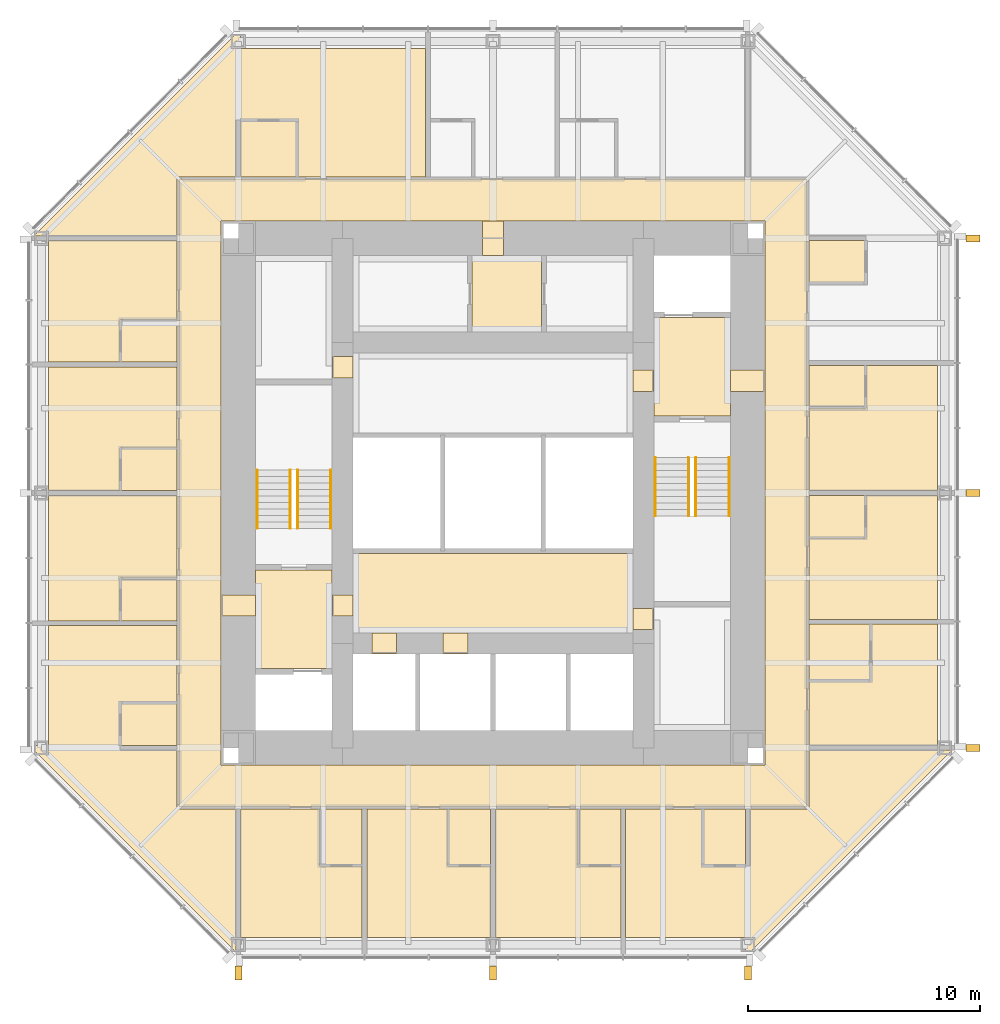
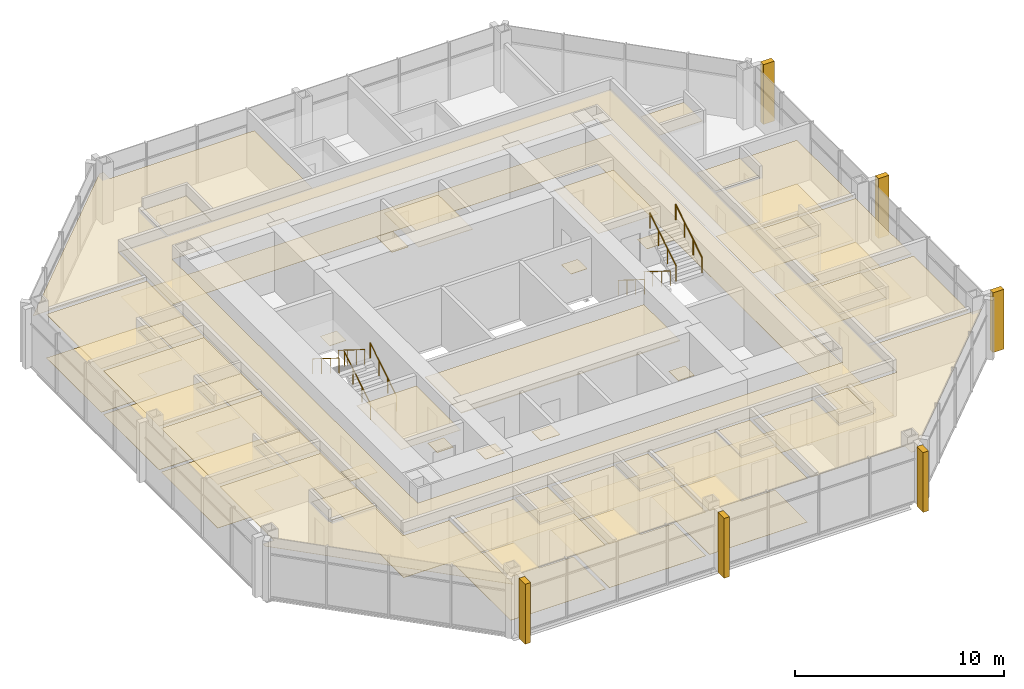
# One storey, part 11 of 12: 54 coverings, 8 railings.
"""IFC4 building model written with IfcOpenShell, lengths in metres."""

from ifc_helpers import new_model, si_unit, direction, frame, origin, origin_2d, place, context, subcontext, project, spatial, polyline, rectangle, circle, outline, extrude, material, layer, layer_set, type_object, element, save


model = new_model("IFC4")

# Units and contexts
model_context = context("Model", 3, precision=1e-05, world=origin(), true_north=direction((0.0, 1.0)))
body_context = subcontext(model_context, "Body", "Model", "MODEL_VIEW")
ifc_project = project(units=[si_unit("LENGTHUNIT", "METRE"), si_unit("AREAUNIT", "SQUARE_METRE"), si_unit("VOLUMEUNIT", "CUBIC_METRE"), si_unit("PLANEANGLEUNIT", "RADIAN"), si_unit("MASSUNIT", "GRAM", prefix="KILO")], contexts=[model_context])

# Site, building, storey
site_placement = place(None, origin())
site = spatial("IfcSite", under=ifc_project, at=site_placement, CompositionType="ELEMENT")
building_placement = place(site_placement, origin())
building = spatial("IfcBuilding", under=site, at=building_placement, Name="Trevanion Tower", CompositionType="ELEMENT")
storey_placement = place(building_placement, frame((0.0, 0.0, 201.199951171875)))
storey = spatial("IfcBuildingStorey", under=building, at=storey_placement, Name="L47", CompositionType="ELEMENT", Elevation=201.199951171875)

# Coverings
ifc_material_1 = material(Name="Fibrous plaster coffers on suspended steel grid", Category="steel")
ifc_layer_1 = layer(ifc_material_1, 0.050048828125)
ifc_layer_set_1 = layer_set([ifc_layer_1], Name="CL1 coffered fibrous plaster ceiling 50")
covering_type_1 = type_object("IfcCoveringType", Name="CL1 coffered fibrous plaster ceiling 50", PredefinedType="CEILING", material=ifc_layer_set_1)
covering_1_placement = place(storey_placement, frame((0.0, 0.0, 2.429931640625)))
element("IfcCovering", 1, at=covering_1_placement, inside=storey, type_object=covering_type_1, Name="CL1 L47-LBS", PredefinedType="CEILING", context=body_context, shape_type="SweptSolid", body=[
    extrude(outline(polyline([(6.050048828125, -6.050048828125), (6.050048828125, -2.60009765625), (-6.050048828125, -2.60009765625), (-6.050048828125, -6.050048828125), (6.050048828125, -6.050048828125)])), origin(), (0.0, 0.0, 1.0), 0.050048828125),
])
ifc_material_2 = material(Name="Mineral fibre acoustic tiles in exposed grid", Category="mineral fibre")
ifc_layer_2 = layer(ifc_material_2, 0.02001953125)
ifc_layer_set_2 = layer_set([ifc_layer_2], Name="CL2 acoustic tile ceiling 20")
covering_type_2 = type_object("IfcCoveringType", Name="CL2 acoustic tile ceiling 20", PredefinedType="CEILING", material=ifc_layer_set_2)
covering_2_placement = place(storey_placement, frame((0.0, 0.0, 2.4599609375)))
element("IfcCovering", 2, at=covering_2_placement, inside=storey, type_object=covering_type_2, Name="CL2 L47-HKC", PredefinedType="CEILING", context=body_context, shape_type="SweptSolid", body=[
    extrude(outline(polyline([(2.10009765625, 6.949951171875), (2.10009765625, 10.25), (-0.89990234375, 10.25), (-0.89990234375, 6.949951171875), (2.10009765625, 6.949951171875)])), origin(), (0.0, 0.0, 1.0), 0.02001953125),
])
covering_3_placement = place(storey_placement, frame((0.0, 0.0, 2.633056640625)))
element("IfcCovering", 3, at=covering_3_placement, inside=storey, type_object=covering_type_2, Name="CL2 L47-CO", PredefinedType="CEILING", context=body_context, shape_type="SweptSolid", body=[
    extrude(outline(polyline([(-13.550048828125, -13.550048828125), (-13.550048828125, 13.550048828125), (13.550048828125, 13.550048828125), (13.550048828125, -13.550048828125), (-13.550048828125, -13.550048828125)]), holes=[polyline([(11.75, 11.75), (-11.75, 11.75), (-11.75, -11.75), (11.75, -11.75), (11.75, 11.75)])]), origin(), (0.0, 0.0, 1.0), 0.02001953125),
])
ifc_material_3 = material(Name="Gypsum plasterboard on suspended metal furring", Category="gypsum")
ifc_layer_3 = layer(ifc_material_3, 0.012939453125)
ifc_layer_set_3 = layer_set([ifc_layer_3], Name="CL3 plasterboard ceiling 13")
covering_type_3 = type_object("IfcCoveringType", Name="CL3 plasterboard ceiling 13", PredefinedType="CEILING", material=ifc_layer_set_3)
covering_4_placement = place(storey_placement, frame((0.0, 0.0, 2.699951171875)))
element("IfcCovering", 4, at=covering_4_placement, inside=storey, type_object=covering_type_3, Name="CL3 L47-FV1", PredefinedType="CEILING", context=body_context, shape_type="SweptSolid", body=[
    extrude(outline(polyline([(10.25, 3.324951171875), (10.25, 7.574951171875), (6.949951171875, 7.574951171875), (6.949951171875, 3.324951171875), (10.25, 3.324951171875)])), origin(), (0.0, 0.0, 1.0), 0.01318359375),
])
covering_5_placement = place(storey_placement, frame((0.0, 0.0, 2.699951171875)))
element("IfcCovering", 5, at=covering_5_placement, inside=storey, type_object=covering_type_3, Name="CL3 L47-FV2", PredefinedType="CEILING", context=body_context, shape_type="SweptSolid", body=[
    extrude(outline(polyline([(-10.25, -3.324951171875), (-10.25, -7.574951171875), (-6.949951171875, -7.574951171875), (-6.949951171875, -3.324951171875), (-10.25, -3.324951171875)])), origin(), (0.0, 0.0, 1.0), 0.01318359375),
])
covering_6_placement = place(storey_placement, frame((0.0, 0.0, 2.551025390625)))
element("IfcCovering", 6, at=covering_6_placement, inside=storey, type_object=covering_type_3, Name="CL3 L47-GA", PredefinedType="CEILING", context=body_context, shape_type="SweptSolid", body=[
    extrude(outline(polyline([(13.64990234375, -8.09912109375), (16.300048828125, -8.09912109375), (16.300048828125, -5.64892578125), (19.199951171875, -5.64892578125), (19.199951171875, -10.89990234375), (13.64990234375, -10.89990234375), (13.64990234375, -8.09912109375)])), origin(), (0.0, 0.0, 1.0), 0.012939453125),
])
covering_7_placement = place(storey_placement, frame((0.0, 0.0, 2.551025390625)))
element("IfcCovering", 7, at=covering_7_placement, inside=storey, type_object=covering_type_3, Name="CL3 L47-GR", PredefinedType="CEILING", context=body_context, shape_type="SweptSolid", body=[
    extrude(outline(polyline([(13.64990234375, -1.949951171875), (16.10009765625, -1.949951171875), (16.10009765625, -0.10009765625), (19.199951171875, -0.10009765625), (19.199951171875, -5.448974609375), (13.64990234375, -5.448974609375), (13.64990234375, -1.949951171875)])), origin(), (0.0, 0.0, 1.0), 0.012939453125),
])
covering_8_placement = place(storey_placement, frame((0.0, 0.0, 2.551025390625)))
element("IfcCovering", 8, at=covering_8_placement, inside=storey, type_object=covering_type_3, Name="CL3 L47-GR2", PredefinedType="CEILING", context=body_context, shape_type="SweptSolid", body=[
    extrude(outline(polyline([(13.64990234375, 3.6640625), (16.10009765625, 3.6640625), (16.10009765625, 5.513916015625), (19.199951171875, 5.513916015625), (19.199951171875, 0.10009765625), (13.64990234375, 0.10009765625), (13.64990234375, 3.6640625)])), origin(), (0.0, 0.0, 1.0), 0.012939453125),
])
covering_9_placement = place(storey_placement, frame((0.0, 0.0, 2.551025390625)))
element("IfcCovering", 9, at=covering_9_placement, inside=storey, type_object=covering_type_3, Name="CL3 L47-GJ2", PredefinedType="CEILING", context=body_context, shape_type="SweptSolid", body=[
    extrude(outline(polyline([(-13.64990234375, 11.10009765625), (-19.800048828125, 11.10009765625), (-19.800048828125, 11.124267578125), (-11.124267578125, 19.800048828125), (-10.89990234375, 19.800048828125), (-10.89990234375, 19.199951171875), (-2.906982421875, 19.199951171875), (-2.906982421875, 13.64990234375), (-8.449951171875, 13.64990234375), (-8.449951171875, 16.10009765625), (-10.949951171875, 16.10009765625), (-10.949951171875, 13.64990234375), (-13.64990234375, 13.64990234375), (-13.64990234375, 11.10009765625)])), origin(), (0.0, 0.0, 1.0), 0.012939453125),
])
covering_10_placement = place(storey_placement, frame((0.0, 0.0, 2.551025390625)))
element("IfcCovering", 10, at=covering_10_placement, inside=storey, type_object=covering_type_3, Name="CL3 L47-GR5", PredefinedType="CEILING", context=body_context, shape_type="SweptSolid", body=[
    extrude(outline(polyline([(-13.64990234375, 7.4990234375), (-16.10009765625, 7.4990234375), (-16.10009765625, 5.64892578125), (-19.199951171875, 5.64892578125), (-19.199951171875, 10.89990234375), (-13.64990234375, 10.89990234375), (-13.64990234375, 7.4990234375)])), origin(), (0.0, 0.0, 1.0), 0.012939453125),
])
covering_11_placement = place(storey_placement, frame((0.0, 0.0, 2.551025390625)))
element("IfcCovering", 11, at=covering_11_placement, inside=storey, type_object=covering_type_3, Name="CL3 L47-GR6", PredefinedType="CEILING", context=body_context, shape_type="SweptSolid", body=[
    extrude(outline(polyline([(-13.64990234375, 1.949951171875), (-16.10009765625, 1.949951171875), (-16.10009765625, 0.10009765625), (-19.199951171875, 0.10009765625), (-19.199951171875, 5.448974609375), (-13.64990234375, 5.448974609375), (-13.64990234375, 1.949951171875)])), origin(), (0.0, 0.0, 1.0), 0.012939453125),
])
covering_12_placement = place(storey_placement, frame((0.0, 0.0, 2.551025390625)))
element("IfcCovering", 12, at=covering_12_placement, inside=storey, type_object=covering_type_3, Name="CL3 L47-GR7", PredefinedType="CEILING", context=body_context, shape_type="SweptSolid", body=[
    extrude(outline(polyline([(-13.64990234375, -3.6640625), (-16.10009765625, -3.6640625), (-16.10009765625, -5.513916015625), (-19.199951171875, -5.513916015625), (-19.199951171875, -0.10009765625), (-13.64990234375, -0.10009765625), (-13.64990234375, -3.6640625)])), origin(), (0.0, 0.0, 1.0), 0.012939453125),
])
covering_13_placement = place(storey_placement, frame((0.0, 0.0, 2.551025390625)))
element("IfcCovering", 13, at=covering_13_placement, inside=storey, type_object=covering_type_3, Name="CL3 L47-GR8", PredefinedType="CEILING", context=body_context, shape_type="SweptSolid", body=[
    extrude(outline(polyline([(-11.10009765625, -13.64990234375), (-11.10009765625, -19.800048828125), (-11.124267578125, -19.800048828125), (-19.800048828125, -11.124267578125), (-19.800048828125, -10.89990234375), (-19.199951171875, -10.89990234375), (-19.199951171875, -5.714111328125), (-13.64990234375, -5.714111328125), (-13.64990234375, -9.050048828125), (-16.10009765625, -9.050048828125), (-16.10009765625, -10.949951171875), (-13.64990234375, -10.949951171875), (-13.64990234375, -13.64990234375), (-11.10009765625, -13.64990234375)])), origin(), (0.0, 0.0, 1.0), 0.012939453125),
])
covering_14_placement = place(storey_placement, frame((0.0, 0.0, 2.551025390625)))
element("IfcCovering", 14, at=covering_14_placement, inside=storey, type_object=covering_type_3, Name="CL3 L47-GR9", PredefinedType="CEILING", context=body_context, shape_type="SweptSolid", body=[
    extrude(outline(polyline([(-7.4990234375, -13.64990234375), (-7.4990234375, -16.10009765625), (-5.64892578125, -16.10009765625), (-5.64892578125, -19.199951171875), (-10.89990234375, -19.199951171875), (-10.89990234375, -13.64990234375), (-7.4990234375, -13.64990234375)])), origin(), (0.0, 0.0, 1.0), 0.012939453125),
])
covering_15_placement = place(storey_placement, frame((0.0, 0.0, 2.551025390625)))
element("IfcCovering", 15, at=covering_15_placement, inside=storey, type_object=covering_type_3, Name="CL3 L47-GR10", PredefinedType="CEILING", context=body_context, shape_type="SweptSolid", body=[
    extrude(outline(polyline([(-1.949951171875, -13.64990234375), (-1.949951171875, -16.10009765625), (-0.10009765625, -16.10009765625), (-0.10009765625, -19.199951171875), (-5.448974609375, -19.199951171875), (-5.448974609375, -13.64990234375), (-1.949951171875, -13.64990234375)])), origin(), (0.0, 0.0, 1.0), 0.012939453125),
])
covering_16_placement = place(storey_placement, frame((0.0, 0.0, 2.551025390625)))
element("IfcCovering", 16, at=covering_16_placement, inside=storey, type_object=covering_type_3, Name="CL3 L47-GR11", PredefinedType="CEILING", context=body_context, shape_type="SweptSolid", body=[
    extrude(outline(polyline([(3.6640625, -13.64990234375), (3.6640625, -16.10009765625), (5.513916015625, -16.10009765625), (5.513916015625, -19.199951171875), (0.10009765625, -19.199951171875), (0.10009765625, -13.64990234375), (3.6640625, -13.64990234375)])), origin(), (0.0, 0.0, 1.0), 0.012939453125),
])
covering_17_placement = place(storey_placement, frame((0.0, 0.0, 2.551025390625)))
element("IfcCovering", 17, at=covering_17_placement, inside=storey, type_object=covering_type_3, Name="CL3 L47-GR12", PredefinedType="CEILING", context=body_context, shape_type="SweptSolid", body=[
    extrude(outline(polyline([(13.64990234375, -11.10009765625), (19.800048828125, -11.10009765625), (19.800048828125, -11.124267578125), (11.124267578125, -19.800048828125), (10.89990234375, -19.800048828125), (10.89990234375, -19.199951171875), (5.714111328125, -19.199951171875), (5.714111328125, -13.64990234375), (9.050048828125, -13.64990234375), (9.050048828125, -16.10009765625), (10.949951171875, -16.10009765625), (10.949951171875, -13.64990234375), (13.64990234375, -13.64990234375), (13.64990234375, -11.10009765625)])), origin(), (0.0, 0.0, 1.0), 0.012939453125),
])
ifc_material_4 = material(Name="Moisture-resistant gypsum board on suspended metal furring", Category="gypsum")
ifc_layer_4 = layer(ifc_material_4, 0.01611328125)
ifc_layer_set_4 = layer_set([ifc_layer_4], Name="CL4 moisture-resistant board ceiling 16")
covering_type_4 = type_object("IfcCoveringType", Name="CL4 moisture-resistant board ceiling 16", PredefinedType="CEILING", material=ifc_layer_set_4)
covering_18_placement = place(storey_placement, frame((0.0, 0.0, 2.60009765625)))
element("IfcCovering", 18, at=covering_18_placement, inside=storey, type_object=covering_type_4, Name="CL4 L47-EN", PredefinedType="CEILING", context=body_context, shape_type="SweptSolid", body=[
    extrude(outline(polyline([(16.25, -8.049072265625), (16.25, -5.64892578125), (13.64990234375, -5.64892578125), (13.64990234375, -8.049072265625), (16.25, -8.049072265625)])), origin(), (0.0, 0.0, 1.0), 0.015869140625),
])
covering_19_placement = place(storey_placement, frame((0.0, 0.0, 2.60009765625)))
element("IfcCovering", 19, at=covering_19_placement, inside=storey, type_object=covering_type_4, Name="CL4 L47-EN2", PredefinedType="CEILING", context=body_context, shape_type="SweptSolid", body=[
    extrude(outline(polyline([(16.050048828125, -1.89990234375), (16.050048828125, -0.10009765625), (13.64990234375, -0.10009765625), (13.64990234375, -1.89990234375), (16.050048828125, -1.89990234375)])), origin(), (0.0, 0.0, 1.0), 0.015869140625),
])
covering_20_placement = place(storey_placement, frame((0.0, 0.0, 2.60009765625)))
element("IfcCovering", 20, at=covering_20_placement, inside=storey, type_object=covering_type_4, Name="CL4 L47-EN3", PredefinedType="CEILING", context=body_context, shape_type="SweptSolid", body=[
    extrude(outline(polyline([(16.050048828125, 3.714111328125), (16.050048828125, 5.513916015625), (13.64990234375, 5.513916015625), (13.64990234375, 3.714111328125), (16.050048828125, 3.714111328125)])), origin(), (0.0, 0.0, 1.0), 0.015869140625),
])
covering_21_placement = place(storey_placement, frame((0.0, 0.0, 2.60009765625)))
element("IfcCovering", 21, at=covering_21_placement, inside=storey, type_object=covering_type_4, Name="CL4 L47-EN4", PredefinedType="CEILING", context=body_context, shape_type="SweptSolid", body=[
    extrude(outline(polyline([(16.050048828125, 9.10009765625), (16.050048828125, 10.89990234375), (13.64990234375, 10.89990234375), (13.64990234375, 9.10009765625), (16.050048828125, 9.10009765625)])), origin(), (0.0, 0.0, 1.0), 0.015869140625),
])
covering_22_placement = place(storey_placement, frame((0.0, 0.0, 2.60009765625)))
element("IfcCovering", 22, at=covering_22_placement, inside=storey, type_object=covering_type_4, Name="CL4 L47-EN7", PredefinedType="CEILING", context=body_context, shape_type="SweptSolid", body=[
    extrude(outline(polyline([(-8.5, 16.050048828125), (-10.89990234375, 16.050048828125), (-10.89990234375, 13.64990234375), (-8.5, 13.64990234375), (-8.5, 16.050048828125)])), origin(), (0.0, 0.0, 1.0), 0.015869140625),
])
covering_23_placement = place(storey_placement, frame((0.0, 0.0, 2.60009765625)))
element("IfcCovering", 23, at=covering_23_placement, inside=storey, type_object=covering_type_4, Name="CL4 L47-EN8", PredefinedType="CEILING", context=body_context, shape_type="SweptSolid", body=[
    extrude(outline(polyline([(-16.050048828125, 7.448974609375), (-16.050048828125, 5.64892578125), (-13.64990234375, 5.64892578125), (-13.64990234375, 7.448974609375), (-16.050048828125, 7.448974609375)])), origin(), (0.0, 0.0, 1.0), 0.015869140625),
])
covering_24_placement = place(storey_placement, frame((0.0, 0.0, 2.60009765625)))
element("IfcCovering", 24, at=covering_24_placement, inside=storey, type_object=covering_type_4, Name="CL4 L47-EN9", PredefinedType="CEILING", context=body_context, shape_type="SweptSolid", body=[
    extrude(outline(polyline([(-16.050048828125, 1.89990234375), (-16.050048828125, 0.10009765625), (-13.64990234375, 0.10009765625), (-13.64990234375, 1.89990234375), (-16.050048828125, 1.89990234375)])), origin(), (0.0, 0.0, 1.0), 0.015869140625),
])
covering_25_placement = place(storey_placement, frame((0.0, 0.0, 2.60009765625)))
element("IfcCovering", 25, at=covering_25_placement, inside=storey, type_object=covering_type_4, Name="CL4 L47-EN10", PredefinedType="CEILING", context=body_context, shape_type="SweptSolid", body=[
    extrude(outline(polyline([(-16.050048828125, -3.714111328125), (-16.050048828125, -5.513916015625), (-13.64990234375, -5.513916015625), (-13.64990234375, -3.714111328125), (-16.050048828125, -3.714111328125)])), origin(), (0.0, 0.0, 1.0), 0.015869140625),
])
covering_26_placement = place(storey_placement, frame((0.0, 0.0, 2.60009765625)))
element("IfcCovering", 26, at=covering_26_placement, inside=storey, type_object=covering_type_4, Name="CL4 L47-EN11", PredefinedType="CEILING", context=body_context, shape_type="SweptSolid", body=[
    extrude(outline(polyline([(-16.050048828125, -9.10009765625), (-16.050048828125, -10.89990234375), (-13.64990234375, -10.89990234375), (-13.64990234375, -9.10009765625), (-16.050048828125, -9.10009765625)])), origin(), (0.0, 0.0, 1.0), 0.015869140625),
])
covering_27_placement = place(storey_placement, frame((0.0, 0.0, 2.60009765625)))
element("IfcCovering", 27, at=covering_27_placement, inside=storey, type_object=covering_type_4, Name="CL4 L47-EN12", PredefinedType="CEILING", context=body_context, shape_type="SweptSolid", body=[
    extrude(outline(polyline([(-7.448974609375, -16.050048828125), (-5.64892578125, -16.050048828125), (-5.64892578125, -13.64990234375), (-7.448974609375, -13.64990234375), (-7.448974609375, -16.050048828125)])), origin(), (0.0, 0.0, 1.0), 0.015869140625),
])
covering_28_placement = place(storey_placement, frame((0.0, 0.0, 2.60009765625)))
element("IfcCovering", 28, at=covering_28_placement, inside=storey, type_object=covering_type_4, Name="CL4 L47-EN13", PredefinedType="CEILING", context=body_context, shape_type="SweptSolid", body=[
    extrude(outline(polyline([(-1.89990234375, -16.050048828125), (-0.10009765625, -16.050048828125), (-0.10009765625, -13.64990234375), (-1.89990234375, -13.64990234375), (-1.89990234375, -16.050048828125)])), origin(), (0.0, 0.0, 1.0), 0.015869140625),
])
covering_29_placement = place(storey_placement, frame((0.0, 0.0, 2.60009765625)))
element("IfcCovering", 29, at=covering_29_placement, inside=storey, type_object=covering_type_4, Name="CL4 L47-EN14", PredefinedType="CEILING", context=body_context, shape_type="SweptSolid", body=[
    extrude(outline(polyline([(3.714111328125, -16.050048828125), (5.513916015625, -16.050048828125), (5.513916015625, -13.64990234375), (3.714111328125, -13.64990234375), (3.714111328125, -16.050048828125)])), origin(), (0.0, 0.0, 1.0), 0.015869140625),
])
covering_30_placement = place(storey_placement, frame((0.0, 0.0, 2.60009765625)))
element("IfcCovering", 30, at=covering_30_placement, inside=storey, type_object=covering_type_4, Name="CL4 L47-EN15", PredefinedType="CEILING", context=body_context, shape_type="SweptSolid", body=[
    extrude(outline(polyline([(9.10009765625, -16.050048828125), (10.89990234375, -16.050048828125), (10.89990234375, -13.64990234375), (9.10009765625, -13.64990234375), (9.10009765625, -16.050048828125)])), origin(), (0.0, 0.0, 1.0), 0.015869140625),
])
ifc_material_5 = material(Name="Cast bronze fin on aluminium carrier", Category="aluminium")
covering_type_5 = type_object("IfcCoveringType", Name="F1 bronze fin", PredefinedType="CLADDING", material=ifc_material_5)
for number, where, z_axis, x_axis, name in (
    (31, (20.72509765625, -11.0, -0.18994140625), (0.0, 0.0, 1.0), (0.0, 1.0, 0.0), "F1 L47 east -11.0"),
    (32, (20.72509765625, 0.0, -0.18994140625), (0.0, 0.0, 1.0), (0.0, 1.0, 0.0), "F1 L47 east +0.0"),
    (33, (20.72509765625, 11.0, -0.18994140625), (0.0, 0.0, 1.0), (0.0, 1.0, 0.0), "F1 L47 east +11.0"),
    (34, (-11.0, -20.72509765625, -0.18994140625), (0.0, 0.0, 1.0), (1.0, 0.0, 0.0), "F1 L47 south -11.0"),
    (35, (0.0, -20.72509765625, -0.18994140625), (0.0, 0.0, 1.0), (1.0, 0.0, 0.0), "F1 L47 south +0.0"),
    (36, (11.0, -20.72509765625, -0.18994140625), (0.0, 0.0, 1.0), (1.0, 0.0, 0.0), "F1 L47 south +11.0"),
):
    element("IfcCovering", number, at=place(storey_placement, frame(where, z_axis=z_axis, x_axis=x_axis)), inside=storey, type_object=covering_type_5, Name=name, PredefinedType="CLADDING", context=body_context, shape_type="SweptSolid", body=[
        extrude(rectangle(XDim=0.300048828125, YDim=0.60009765625, at=origin_2d()), origin(), (0.0, 0.0, 1.0), 3.5),
    ])
ifc_material_6 = material(Name="Terrazzo, brass divider strips", Category="stone")
ifc_layer_5 = layer(ifc_material_6, 0.02001953125)
ifc_layer_set_5 = layer_set([ifc_layer_5], Name="FF1 terrazzo flooring")
covering_type_6 = type_object("IfcCoveringType", Name="FF1 terrazzo flooring", PredefinedType="FLOORING", material=ifc_layer_set_5)
covering_31_placement = place(storey_placement, origin())
element("IfcCovering", 37, at=covering_31_placement, inside=storey, type_object=covering_type_6, Name="FF1 threshold 47-001", PredefinedType="FLOORING", context=body_context, shape_type="SweptSolid", body=[
    extrude(outline(polyline([(11.75, 4.392578125), (11.75, 5.3076171875), (10.25, 5.3076171875), (10.25, 4.392578125), (11.75, 4.392578125)])), origin(), (0.0, 0.0, 1.0), 0.02001953125),
])
covering_32_placement = place(storey_placement, origin())
element("IfcCovering", 38, at=covering_32_placement, inside=storey, type_object=covering_type_6, Name="FF1 threshold 47-002", PredefinedType="FLOORING", context=body_context, shape_type="SweptSolid", body=[
    extrude(outline(polyline([(-11.75, -4.392578125), (-11.75, -5.3076171875), (-10.25, -5.3076171875), (-10.25, -4.392578125), (-11.75, -4.392578125)])), origin(), (0.0, 0.0, 1.0), 0.02001953125),
])
covering_33_placement = place(storey_placement, origin())
element("IfcCovering", 39, at=covering_33_placement, inside=storey, type_object=covering_type_6, Name="FF1 threshold 47-003", PredefinedType="FLOORING", context=body_context, shape_type="SweptSolid", body=[
    extrude(outline(polyline([(6.949951171875, 4.392578125), (6.949951171875, 5.3076171875), (6.050048828125, 5.3076171875), (6.050048828125, 4.392578125), (6.949951171875, 4.392578125)])), origin(), (0.0, 0.0, 1.0), 0.02001953125),
])
covering_34_placement = place(storey_placement, origin())
element("IfcCovering", 40, at=covering_34_placement, inside=storey, type_object=covering_type_6, Name="FF1 threshold 47-004", PredefinedType="FLOORING", context=body_context, shape_type="SweptSolid", body=[
    extrude(outline(polyline([(-6.949951171875, -4.392578125), (-6.949951171875, -5.3076171875), (-6.050048828125, -5.3076171875), (-6.050048828125, -4.392578125), (-6.949951171875, -4.392578125)])), origin(), (0.0, 0.0, 1.0), 0.02001953125),
])
covering_35_placement = place(storey_placement, origin())
element("IfcCovering", 41, at=covering_35_placement, inside=storey, type_object=covering_type_6, Name="FF1 threshold 47-009", PredefinedType="FLOORING", context=body_context, shape_type="SweptSolid", body=[
    extrude(outline(polyline([(6.949951171875, -5.889892578125), (6.949951171875, -4.97509765625), (6.050048828125, -4.97509765625), (6.050048828125, -5.889892578125), (6.949951171875, -5.889892578125)])), origin(), (0.0, 0.0, 1.0), 0.02001953125),
])
covering_36_placement = place(storey_placement, origin())
element("IfcCovering", 42, at=covering_36_placement, inside=storey, type_object=covering_type_6, Name="FF1 threshold 47-010", PredefinedType="FLOORING", context=body_context, shape_type="SweptSolid", body=[
    extrude(outline(polyline([(-6.949951171875, 5.889892578125), (-6.949951171875, 4.97509765625), (-6.050048828125, 4.97509765625), (-6.050048828125, 5.889892578125), (-6.949951171875, 5.889892578125)])), origin(), (0.0, 0.0, 1.0), 0.02001953125),
])
covering_37_placement = place(storey_placement, origin())
element("IfcCovering", 43, at=covering_37_placement, inside=storey, type_object=covering_type_6, Name="FF1 threshold 47-011", PredefinedType="FLOORING", context=body_context, shape_type="SweptSolid", body=[
    extrude(outline(polyline([(-5.2333984375, -6.949951171875), (-4.16650390625, -6.949951171875), (-4.16650390625, -6.050048828125), (-5.2333984375, -6.050048828125), (-5.2333984375, -6.949951171875)])), origin(), (0.0, 0.0, 1.0), 0.02001953125),
])
covering_38_placement = place(storey_placement, origin())
element("IfcCovering", 44, at=covering_38_placement, inside=storey, type_object=covering_type_6, Name="FF1 threshold 47-012", PredefinedType="FLOORING", context=body_context, shape_type="SweptSolid", body=[
    extrude(outline(polyline([(-2.158447265625, -6.949951171875), (-1.091552734375, -6.949951171875), (-1.091552734375, -6.050048828125), (-2.158447265625, -6.050048828125), (-2.158447265625, -6.949951171875)])), origin(), (0.0, 0.0, 1.0), 0.02001953125),
])
covering_39_placement = place(storey_placement, origin())
element("IfcCovering", 45, at=covering_39_placement, inside=storey, type_object=covering_type_6, Name="FF1 threshold 47-013", PredefinedType="FLOORING", context=body_context, shape_type="SweptSolid", body=[
    extrude(outline(polyline([(0.45751953125, 11.75), (-0.45751953125, 11.75), (-0.45751953125, 10.25), (0.45751953125, 10.25), (0.45751953125, 11.75)])), origin(), (0.0, 0.0, 1.0), 0.02001953125),
])
ifc_material_7 = material(Name="Wool carpet on underlay", Category="textile")
ifc_layer_6 = layer(ifc_material_7, 0.011962890625)
ifc_layer_set_6 = layer_set([ifc_layer_6], Name="FF2 carpet flooring")
covering_type_7 = type_object("IfcCoveringType", Name="FF2 carpet flooring", PredefinedType="FLOORING", material=ifc_layer_set_6)
covering_40_placement = place(storey_placement, origin())
element("IfcCovering", 46, at=covering_40_placement, inside=storey, type_object=covering_type_7, Name="FF2 L47-CO", PredefinedType="FLOORING", context=body_context, shape_type="SweptSolid", body=[
    extrude(outline(polyline([(-13.550048828125, -13.550048828125), (-13.550048828125, 13.550048828125), (13.550048828125, 13.550048828125), (13.550048828125, -13.550048828125), (-13.550048828125, -13.550048828125)]), holes=[polyline([(11.75, 11.75), (-11.75, 11.75), (-11.75, -11.75), (11.75, -11.75), (11.75, 11.75)])]), origin(), (0.0, 0.0, 1.0), 0.011962890625),
])
covering_41_placement = place(storey_placement, origin())
element("IfcCovering", 47, at=covering_41_placement, inside=storey, type_object=covering_type_7, Name="FF2 L47-GR", PredefinedType="FLOORING", context=body_context, shape_type="SweptSolid", body=[
    extrude(outline(polyline([(13.64990234375, -1.949951171875), (16.10009765625, -1.949951171875), (16.10009765625, -0.10009765625), (19.199951171875, -0.10009765625), (19.199951171875, -5.448974609375), (13.64990234375, -5.448974609375), (13.64990234375, -1.949951171875)])), origin(), (0.0, 0.0, 1.0), 0.011962890625),
])
covering_42_placement = place(storey_placement, origin())
element("IfcCovering", 48, at=covering_42_placement, inside=storey, type_object=covering_type_7, Name="FF2 L47-GR2", PredefinedType="FLOORING", context=body_context, shape_type="SweptSolid", body=[
    extrude(outline(polyline([(13.64990234375, 3.6640625), (16.10009765625, 3.6640625), (16.10009765625, 5.513916015625), (19.199951171875, 5.513916015625), (19.199951171875, 0.10009765625), (13.64990234375, 0.10009765625), (13.64990234375, 3.6640625)])), origin(), (0.0, 0.0, 1.0), 0.011962890625),
])
covering_43_placement = place(storey_placement, origin())
element("IfcCovering", 49, at=covering_43_placement, inside=storey, type_object=covering_type_7, Name="FF2 L47-GR5", PredefinedType="FLOORING", context=body_context, shape_type="SweptSolid", body=[
    extrude(outline(polyline([(-13.64990234375, 7.4990234375), (-16.10009765625, 7.4990234375), (-16.10009765625, 5.64892578125), (-19.199951171875, 5.64892578125), (-19.199951171875, 10.89990234375), (-13.64990234375, 10.89990234375), (-13.64990234375, 7.4990234375)])), origin(), (0.0, 0.0, 1.0), 0.011962890625),
])
covering_44_placement = place(storey_placement, origin())
element("IfcCovering", 50, at=covering_44_placement, inside=storey, type_object=covering_type_7, Name="FF2 L47-GR6", PredefinedType="FLOORING", context=body_context, shape_type="SweptSolid", body=[
    extrude(outline(polyline([(-13.64990234375, 1.949951171875), (-16.10009765625, 1.949951171875), (-16.10009765625, 0.10009765625), (-19.199951171875, 0.10009765625), (-19.199951171875, 5.448974609375), (-13.64990234375, 5.448974609375), (-13.64990234375, 1.949951171875)])), origin(), (0.0, 0.0, 1.0), 0.011962890625),
])
covering_45_placement = place(storey_placement, origin())
element("IfcCovering", 51, at=covering_45_placement, inside=storey, type_object=covering_type_7, Name="FF2 L47-GR7", PredefinedType="FLOORING", context=body_context, shape_type="SweptSolid", body=[
    extrude(outline(polyline([(-13.64990234375, -3.6640625), (-16.10009765625, -3.6640625), (-16.10009765625, -5.513916015625), (-19.199951171875, -5.513916015625), (-19.199951171875, -0.10009765625), (-13.64990234375, -0.10009765625), (-13.64990234375, -3.6640625)])), origin(), (0.0, 0.0, 1.0), 0.011962890625),
])
covering_46_placement = place(storey_placement, origin())
element("IfcCovering", 52, at=covering_46_placement, inside=storey, type_object=covering_type_7, Name="FF2 L47-GR9", PredefinedType="FLOORING", context=body_context, shape_type="SweptSolid", body=[
    extrude(outline(polyline([(-7.4990234375, -13.64990234375), (-7.4990234375, -16.10009765625), (-5.64892578125, -16.10009765625), (-5.64892578125, -19.199951171875), (-10.89990234375, -19.199951171875), (-10.89990234375, -13.64990234375), (-7.4990234375, -13.64990234375)])), origin(), (0.0, 0.0, 1.0), 0.011962890625),
])
covering_47_placement = place(storey_placement, origin())
element("IfcCovering", 53, at=covering_47_placement, inside=storey, type_object=covering_type_7, Name="FF2 L47-GR10", PredefinedType="FLOORING", context=body_context, shape_type="SweptSolid", body=[
    extrude(outline(polyline([(-1.949951171875, -13.64990234375), (-1.949951171875, -16.10009765625), (-0.10009765625, -16.10009765625), (-0.10009765625, -19.199951171875), (-5.448974609375, -19.199951171875), (-5.448974609375, -13.64990234375), (-1.949951171875, -13.64990234375)])), origin(), (0.0, 0.0, 1.0), 0.011962890625),
])
covering_48_placement = place(storey_placement, origin())
element("IfcCovering", 54, at=covering_48_placement, inside=storey, type_object=covering_type_7, Name="FF2 L47-GR11", PredefinedType="FLOORING", context=body_context, shape_type="SweptSolid", body=[
    extrude(outline(polyline([(3.6640625, -13.64990234375), (3.6640625, -16.10009765625), (5.513916015625, -16.10009765625), (5.513916015625, -19.199951171875), (0.10009765625, -19.199951171875), (0.10009765625, -13.64990234375), (3.6640625, -13.64990234375)])), origin(), (0.0, 0.0, 1.0), 0.011962890625),
])

# Railings
ifc_material_8 = material(Name="Stainless steel tube 40 mm", Category="steel")
railing_type = type_object("IfcRailingType", Name="HR1 handrail", PredefinedType="HANDRAIL", material=ifc_material_8)
for number, where, name in (
    (55, (7.010009765625, 1.52490234375, 0.175048828125), "HR1 ST1 L47 flight 1"),
    (56, (8.43994140625, 1.52490234375, 0.175048828125), "HR1 ST1 L47 flight 1"),
):
    element("IfcRailing", number, at=place(storey_placement, frame(where)), inside=storey, type_object=railing_type, Name=name, PredefinedType="HANDRAIL", context=body_context, shape_type="SweptSolid", body=[
        extrude(circle(Radius=0.02001953125, at=origin_2d()), frame((0.0, 0.0, 0.8798828125), z_axis=(0.0, -0.848007534815, 0.529984170421), x_axis=(1.0, 0.0, 0.0)), (0.0, 0.0, 1.0), 2.9716796875),
        extrude(circle(Radius=0.01513671875, at=origin_2d()), origin(), (0.0, 0.0, 1.0), 0.85986328125),
        extrude(circle(Radius=0.01513671875, at=origin_2d()), frame((0.0, -0.840087890625, 0.52490234375)), (0.0, 0.0, 1.0), 0.85986328125),
        extrude(circle(Radius=0.01513671875, at=origin_2d()), frame((0.0, -1.679931640625, 1.050048828125)), (0.0, 0.0, 1.0), 0.85986328125),
        extrude(circle(Radius=0.01513671875, at=origin_2d()), frame((0.0, -2.52001953125, 1.574951171875)), (0.0, 0.0, 1.0), 0.85986328125),
    ])
for number, where, name in (
    (57, (8.760009765625, -0.9951171875, 1.925048828125), "HR1 ST1 L47 flight 2"),
    (58, (10.18994140625, -0.9951171875, 1.925048828125), "HR1 ST1 L47 flight 2"),
    (59, (-7.010009765625, -1.52490234375, 0.175048828125), "HR1 ST2 L47 flight 1"),
    (60, (-8.43994140625, -1.52490234375, 0.175048828125), "HR1 ST2 L47 flight 1"),
):
    element("IfcRailing", number, at=place(storey_placement, frame(where)), inside=storey, type_object=railing_type, Name=name, PredefinedType="HANDRAIL", context=body_context, shape_type="SweptSolid", body=[
        extrude(circle(Radius=0.02001953125, at=origin_2d()), frame((0.0, 0.0, 0.8798828125), z_axis=(0.0, 0.848007534815, 0.529984170421), x_axis=(-1.0, 0.0, 0.0)), (0.0, 0.0, 1.0), 2.9716796875),
        extrude(circle(Radius=0.01513671875, at=origin_2d()), origin(), (0.0, 0.0, 1.0), 0.85986328125),
        extrude(circle(Radius=0.01513671875, at=origin_2d()), frame((0.0, 0.840087890625, 0.52490234375)), (0.0, 0.0, 1.0), 0.85986328125),
        extrude(circle(Radius=0.01513671875, at=origin_2d()), frame((0.0, 1.679931640625, 1.050048828125)), (0.0, 0.0, 1.0), 0.85986328125),
        extrude(circle(Radius=0.01513671875, at=origin_2d()), frame((0.0, 2.52001953125, 1.574951171875)), (0.0, 0.0, 1.0), 0.85986328125),
    ])
for number, where, name in (
    (61, (-8.760009765625, 0.9951171875, 1.925048828125), "HR1 ST2 L47 flight 2"),
    (62, (-10.18994140625, 0.9951171875, 1.925048828125), "HR1 ST2 L47 flight 2"),
):
    element("IfcRailing", number, at=place(storey_placement, frame(where)), inside=storey, type_object=railing_type, Name=name, PredefinedType="HANDRAIL", context=body_context, shape_type="SweptSolid", body=[
        extrude(circle(Radius=0.02001953125, at=origin_2d()), frame((0.0, 0.0, 0.8798828125), z_axis=(0.0, -0.848007534815, 0.529984170421), x_axis=(1.0, 0.0, 0.0)), (0.0, 0.0, 1.0), 2.9716796875),
        extrude(circle(Radius=0.01513671875, at=origin_2d()), origin(), (0.0, 0.0, 1.0), 0.85986328125),
        extrude(circle(Radius=0.01513671875, at=origin_2d()), frame((0.0, -0.840087890625, 0.52490234375)), (0.0, 0.0, 1.0), 0.85986328125),
        extrude(circle(Radius=0.01513671875, at=origin_2d()), frame((0.0, -1.679931640625, 1.050048828125)), (0.0, 0.0, 1.0), 0.85986328125),
        extrude(circle(Radius=0.01513671875, at=origin_2d()), frame((0.0, -2.52001953125, 1.574951171875)), (0.0, 0.0, 1.0), 0.85986328125),
    ])

save(model, "model.ifc")
